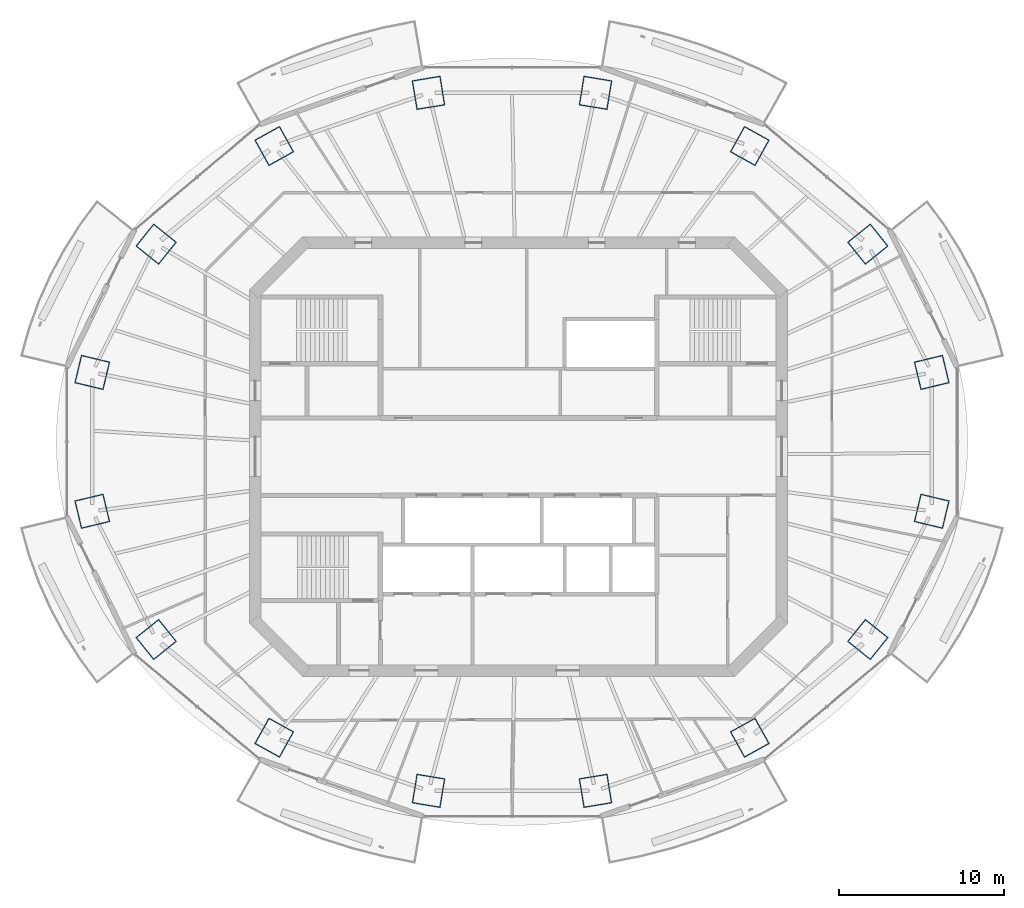
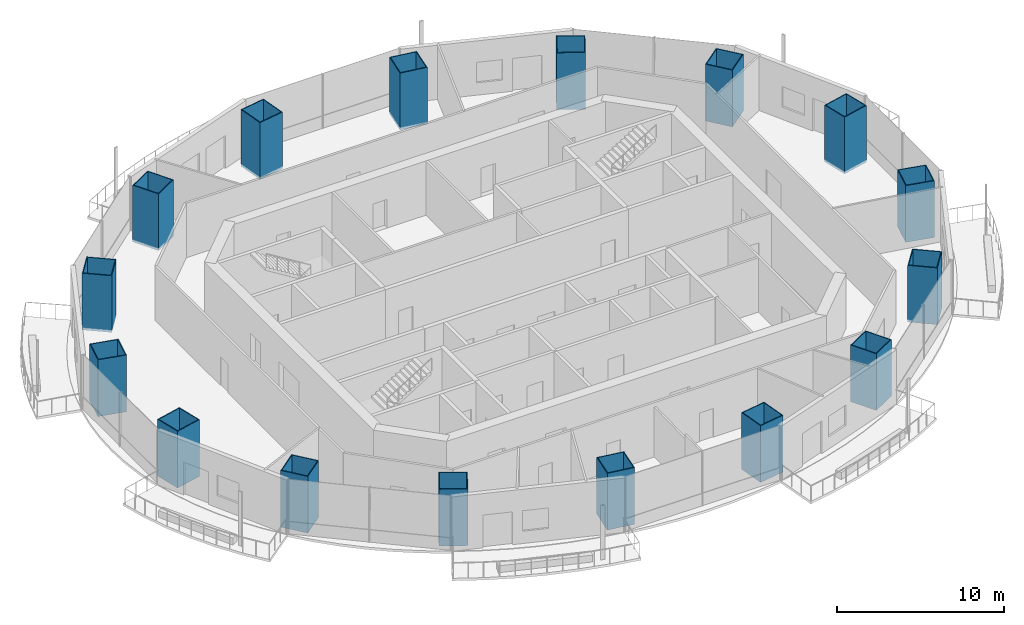
# One storey, part 1 of 16: 16 columns.
"""IFC4 building model written with IfcOpenShell, lengths in metres."""

from ifc_helpers import new_model, si_unit, direction, frame, origin, origin_2d, place, context, subcontext, project, spatial, rectangle, hollow_rectangle, extrude, material, material_profile, profile_set, type_object, element, save


model = new_model("IFC4")

# Units and contexts
model_context = context("Model", 3, precision=1e-05, world=origin(), true_north=direction((0.0, 1.0)))
body_context = subcontext(model_context, "Body", "Model", "MODEL_VIEW")
ifc_project = project(units=[si_unit("LENGTHUNIT", "METRE"), si_unit("AREAUNIT", "SQUARE_METRE"), si_unit("VOLUMEUNIT", "CUBIC_METRE"), si_unit("PLANEANGLEUNIT", "RADIAN"), si_unit("MASSUNIT", "GRAM", prefix="KILO")], contexts=[model_context])

# Site, building, storey
site_placement = place(None, origin())
site = spatial("IfcSite", under=ifc_project, at=site_placement, CompositionType="ELEMENT")
building_placement = place(site_placement, origin())
building = spatial("IfcBuilding", under=site, at=building_placement, Name="Marenthal Gate Tower", CompositionType="ELEMENT")
storey_placement = place(building_placement, frame((0.0, 0.0, 330.14990234375)))
storey = spatial("IfcBuildingStorey", under=building, at=storey_placement, Name="L74", CompositionType="ELEMENT", Elevation=330.14990234375)

# Columns
ifc_material_1 = material(Name="Steel S460", Category="steel")
ifc_material_profile_1 = material_profile(ifc_material_1, hollow_rectangle(XDim=1.75, YDim=1.800048828125, WallThickness=0.054931640625, at=origin_2d()), Name="CFT BOX 1800X1750X55")
ifc_material_2 = material(Name="Concrete 70 MPa", Category="concrete")
ifc_material_profile_2 = material_profile(ifc_material_2, rectangle(XDim=1.639892578125, YDim=1.68994140625, at=origin_2d()), Name="CFT BOX 1800X1750X55 INFILL")
ifc_profile_set = profile_set([ifc_material_profile_1, ifc_material_profile_2], Name="Steel S460 shell, Concrete 70 MPa infill")
column_type = type_object("IfcColumnType", Name="CFT BOX 1800X1750X55", PredefinedType="COLUMN", material=ifc_profile_set)
for number, where, z_axis, x_axis, name in (
    (1, (25.1123046875, 5.119140625, -0.179931640625), (0.0, 0.0, 1.0), (0.232676502106, -0.97255418634, 0.0), "COL-L74-01"),
    (2, (21.228271484375, 12.915283203125, -0.179931640625), (0.0, 0.0, 1.0), (0.626431050402, -0.77947683679, 0.0), "COL-L74-02"),
    (3, (14.051513671875, 18.882080078125, -0.179931640625), (0.0, 0.0, 1.0), (0.874163244047, -0.485632188757, 0.0), "COL-L74-03"),
    (4, (4.6748046875, 22.111328125, -0.179931640625), (0.0, 0.0, 1.0), (0.986598943742, -0.163164102079, 0.0), "COL-L74-04"),
    (5, (-5.474609375, 22.111328125, -0.179931640625), (0.0, 0.0, 1.0), (0.986598943742, 0.163164102079, 0.0), "COL-L74-05"),
    (6, (-14.8515625, 18.882080078125, -0.179931640625), (0.0, 0.0, 1.0), (0.874163244047, 0.485632188757, 0.0), "COL-L74-06"),
    (7, (-22.0283203125, 12.915283203125, -0.179931640625), (0.0, 0.0, 1.0), (0.626431050402, 0.77947683679, 0.0), "COL-L74-07"),
    (8, (-25.912109375, 5.119140625, -0.179931640625), (0.0, 0.0, 1.0), (0.232676502106, 0.97255418634, 0.0), "COL-L74-08"),
    (9, (-25.912109375, -3.319091796875, -0.179931640625), (0.0, 0.0, 1.0), (-0.232676502106, 0.97255418634, 0.0), "COL-L74-09"),
    (10, (-22.0283203125, -11.115234375, -0.179931640625), (0.0, 0.0, 1.0), (-0.626431050402, 0.77947683679, 0.0), "COL-L74-10"),
    (11, (-14.8515625, -17.082275390625, -0.179931640625), (0.0, 0.0, 1.0), (-0.874163244047, 0.485632188757, 0.0), "COL-L74-11"),
    (12, (-5.474609375, -20.311279296875, -0.179931640625), (0.0, 0.0, 1.0), (-0.986598943742, 0.163164102079, 0.0), "COL-L74-12"),
    (13, (4.6748046875, -20.311279296875, -0.179931640625), (0.0, 0.0, 1.0), (-0.986598943742, -0.163164102079, 0.0), "COL-L74-13"),
    (14, (14.051513671875, -17.082275390625, -0.179931640625), (0.0, 0.0, 1.0), (-0.874163244047, -0.485632188757, 0.0), "COL-L74-14"),
    (15, (21.228271484375, -11.115234375, -0.179931640625), (0.0, 0.0, 1.0), (-0.626431050402, -0.77947683679, 0.0), "COL-L74-15"),
    (16, (25.1123046875, -3.319091796875, -0.179931640625), (0.0, 0.0, 1.0), (-0.232676502106, -0.97255418634, 0.0), "COL-L74-16"),
):
    element("IfcColumn", number, at=place(storey_placement, frame(where, z_axis=z_axis, x_axis=x_axis)), inside=storey, type_object=column_type, Name=name, PredefinedType="COLUMN", context=body_context, shape_type="SweptSolid", body=[
        extrude(hollow_rectangle(XDim=1.75, YDim=1.800048828125, WallThickness=0.054931640625, at=origin_2d()), origin(), (0.0, 0.0, 1.0), 4.150146484375),
    ])

save(model, "model.ifc")
